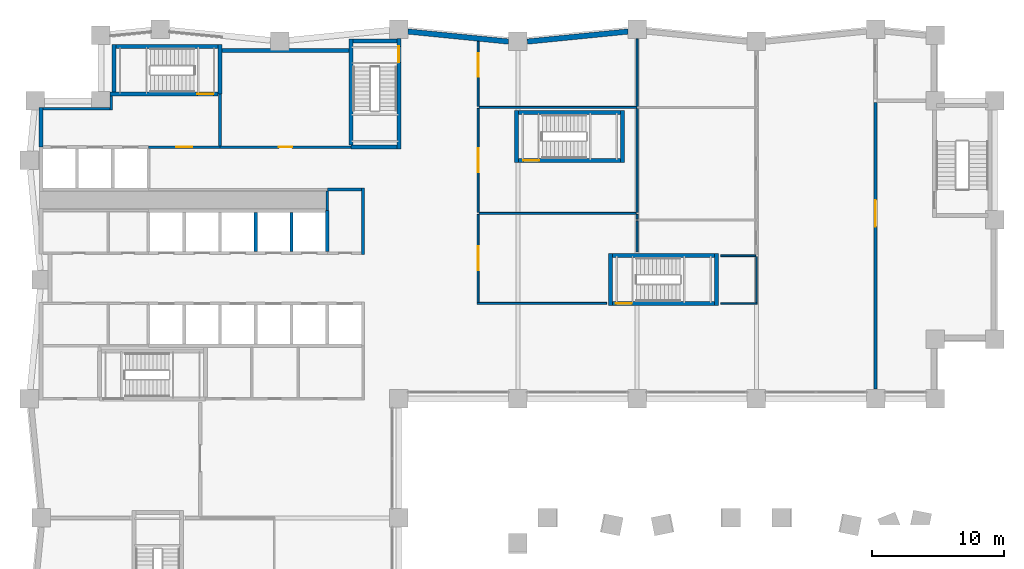
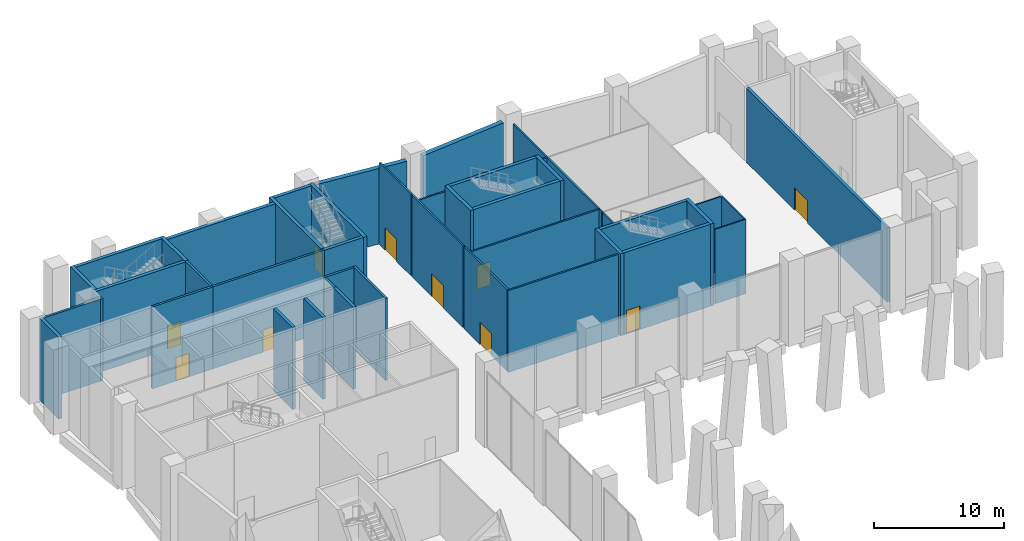
# One storey, part 12 of 19: 45 walls, 10 doors, 10 openings.
"""IFC4 building model written with IfcOpenShell, lengths in metres."""

from ifc_helpers import new_model, si_unit, direction, frame, frame_2d, origin, place, context, subcontext, project, spatial, rectangle, extrude, material, layer, layer_set, type_object, element, fill, save


model = new_model("IFC4")

# Units and contexts
model_context = context("Model", 3, precision=1e-05, world=origin(), true_north=direction((0.0, 1.0)))
body_context = subcontext(model_context, "Body", "Model", "MODEL_VIEW")
ifc_project = project(units=[si_unit("LENGTHUNIT", "METRE"), si_unit("AREAUNIT", "SQUARE_METRE"), si_unit("VOLUMEUNIT", "CUBIC_METRE"), si_unit("PLANEANGLEUNIT", "RADIAN"), si_unit("MASSUNIT", "GRAM", prefix="KILO")], contexts=[model_context])

# Site, building, storey
site_placement = place(None, origin())
site = spatial("IfcSite", under=ifc_project, at=site_placement, CompositionType="ELEMENT")
building_placement = place(site_placement, origin())
building = spatial("IfcBuilding", under=site, at=building_placement, Name="Brondeck Convention Tower", CompositionType="ELEMENT")
storey_placement = place(building_placement, frame((0.0, 0.0, 19.5)))
storey = spatial("IfcBuildingStorey", under=building, at=storey_placement, Name="L03", CompositionType="ELEMENT", Elevation=19.5)

# Walls
ifc_material_1 = material(Name="Concrete C80/95", Category="concrete")
ifc_layer_1 = layer(ifc_material_1, 0.199951171875)
ifc_layer_set_1 = layer_set([ifc_layer_1], Name="Core beam-seat wall 200 Concrete C80/95")
wall_type_1 = type_object("IfcWallType", Name="Core beam-seat wall 200 Concrete C80/95", PredefinedType="SHEAR", material=ifc_layer_set_1)
wall_1_placement = place(storey_placement, frame((24.300048828125, 46.89990234375, 0.0), z_axis=(0.0, 0.0, 1.0), x_axis=(0.0, 1.0, 0.0)))
element("IfcWall", 1, at=wall_1_placement, inside=storey, type_object=wall_type_1, Name="L03 core wall", PredefinedType="SHEAR", context=body_context, shape_type="SweptSolid", body=[
    extrude(rectangle(XDim=5.0, YDim=0.199951171875, at=frame_2d((2.5, 0.0))), origin(), (0.0, 0.0, 1.0), 7.699951171875),
])
ifc_layer_2 = layer(ifc_material_1, 0.300048828125)
ifc_layer_set_2 = layer_set([ifc_layer_2], Name="Core outer wall 300 Concrete C80/95")
wall_type_2 = type_object("IfcWallType", Name="Core outer wall 300 Concrete C80/95", PredefinedType="SHEAR", material=ifc_layer_set_2)
wall_2_placement = place(storey_placement, frame((13.64990234375, 62.300048828125, 0.0), z_axis=(0.0, 0.0, 1.0), x_axis=(1.0, 0.0, 0.0)))
element("IfcWall", 2, at=wall_2_placement, inside=storey, type_object=wall_type_2, Name="L03 core wall", PredefinedType="SHEAR", context=body_context, shape_type="SweptSolid", body=[
    extrude(rectangle(XDim=9.60009765625, YDim=0.300048828125, at=frame_2d((4.800048828125, 0.0))), origin(), (0.0, 0.0, 1.0), 7.699951171875),
])
wall_3_placement = place(storey_placement, frame((0.0, 55.0, 0.0), z_axis=(0.0, 0.0, 1.0), x_axis=(0.0, 1.0, 0.0)))
element("IfcWall", 3, at=wall_3_placement, inside=storey, type_object=wall_type_2, Name="L03 core wall", PredefinedType="SHEAR", context=body_context, shape_type="SweptSolid", body=[
    extrude(rectangle(XDim=3.0, YDim=0.300048828125, at=frame_2d((1.5, 0.0))), origin(), (0.0, 0.0, 1.0), 7.699951171875),
])
ifc_material_2 = material(Name="Limestone", Category="masonry")
ifc_layer_3 = layer(ifc_material_2, 0.10009765625, Name="Limestone facing")
ifc_material_3 = material(Name="Mineral wool")
ifc_layer_4 = layer(ifc_material_3, 0.159912109375, Name="Insulation")
ifc_material_4 = material(Name="Concrete C35/45", Category="concrete")
ifc_layer_5 = layer(ifc_material_4, 0.139892578125, Name="Backing")
ifc_layer_set_3 = layer_set([ifc_layer_3, ifc_layer_4, ifc_layer_5], Name="External wall, limestone cladding")
wall_type_3 = type_object("IfcWallType", Name="External wall, limestone cladding", PredefinedType="SOLIDWALL", material=ifc_layer_set_3)
for number, where, z_axis, x_axis, name in (
    (4, (36.70654296875, 62.97021484375, 0.0), (0.0, 0.0, 1.0), (0.995039719416, 0.099478423711, 0.0), "ENV-EW-L03-BASE-A-N-09"),
    (5, (27.6865234375, 63.730712890625, 0.0), (0.0, 0.0, 1.0), (0.995039719416, -0.099478423711, 0.0), "ENV-EW-L03-BASE-A-N-07"),
):
    element("IfcWall", number, at=place(storey_placement, frame(where, z_axis=z_axis, x_axis=x_axis)), inside=storey, type_object=wall_type_3, Name=name, PredefinedType="SOLIDWALL", context=body_context, shape_type="SweptSolid", body=[
        extrude(rectangle(XDim=7.644775390625, YDim=0.39990234375, at=frame_2d((3.822265625, 0.0))), origin(), (0.0, 0.0, 1.0), 7.10009765625),
    ])

# Wall, opening, door
ifc_material_5 = material(Name="Reinforced masonry fire wall", Category="masonry")
ifc_layer_6 = layer(ifc_material_5, 0.25)
ifc_layer_set_4 = layer_set([ifc_layer_6], Name="Fire wall 250")
wall_type_4 = type_object("IfcWallType", Name="Fire wall 250", PredefinedType="PARTITIONING", material=ifc_layer_set_4)
wall_4_placement = place(storey_placement, frame((63.0, 58.375, 0.0), z_axis=(0.0, 0.0, 1.0), x_axis=(0.0, -1.0, 0.0)))
wall_4 = element("IfcWall", 6, at=wall_4_placement, inside=storey, type_object=wall_type_4, Name="FLR-L03-W026", PredefinedType="PARTITIONING", context=body_context, shape_type="SweptSolid", body=[
    extrude(rectangle(XDim=21.655029296875, YDim=0.25, at=frame_2d((10.82763671875, 0.0))), origin(), (0.0, 0.0, 1.0), 6.97998046875),
])
opening_1_placement = place(wall_4_placement, frame((7.375, 0.0, 0.0)))
opening_1 = element("IfcOpeningElement", 7, at=opening_1_placement, cuts=wall_4, Name="Opening P-L03-007", PredefinedType="OPENING", context=body_context, shape_type="SweptSolid", body=[
    extrude(rectangle(XDim=2.0, YDim=2.10009765625, at=frame_2d((1.0, 1.050048828125))), frame((0.0, 0.135009765625, 0.0), z_axis=(0.0, -1.0, 0.0), x_axis=(1.0, 0.0, 0.0)), (0.0, 0.0, 1.0), 0.27001953125),
])
ifc_material_6 = material(Name="Timber fire door pair", Category="wood")
door_type_1 = type_object("IfcDoorType", Name="Assembly hall door pair 2000", OperationType="DOUBLE_DOOR_SINGLE_SWING", PredefinedType="DOOR", material=ifc_material_6)
door_1_placement = place(opening_1_placement, origin())
door_1 = element("IfcDoor", 8, at=door_1_placement, inside=storey, type_object=door_type_1, Name="Door P-L03-007", OperationType="DOUBLE_DOOR_SINGLE_SWING", OverallHeight=2.10009765625, OverallWidth=2.0, PredefinedType="DOOR", context=body_context, shape_type="SweptSolid", body=[
    extrude(rectangle(XDim=2.0, YDim=2.10009765625, at=frame_2d((1.0, 1.050048828125))), frame((0.0, 0.02490234375, 0.0), z_axis=(0.0, -1.0, 0.0), x_axis=(1.0, 0.0, 0.0)), (0.0, 0.0, 1.0), 0.050048828125),
])
fill(opening_1, door_1)

ifc_material_7 = material(Name="Fire-rated gypsum board partition")
ifc_layer_7 = layer(ifc_material_7, 0.199951171875)
ifc_layer_set_5 = layer_set([ifc_layer_7], Name="Firefighting lobby wall 200 EI 120")
wall_type_5 = type_object("IfcWallType", Name="Firefighting lobby wall 200 EI 120", PredefinedType="PARTITIONING", material=ifc_layer_set_5)
wall_5_placement = place(storey_placement, frame((8.10009765625, 55.0, 0.0), z_axis=(0.0, 0.0, 1.0), x_axis=(1.0, 0.0, 0.0)))
wall_5 = element("IfcWall", 9, at=wall_5_placement, inside=storey, type_object=wall_type_5, Name="L03 core wall", PredefinedType="PARTITIONING", context=body_context, shape_type="SweptSolid", body=[
    extrude(rectangle(XDim=5.39990234375, YDim=0.199951171875, at=frame_2d((2.699951171875, 0.0))), origin(), (0.0, 0.0, 1.0), 7.699951171875),
])
opening_2_placement = place(wall_5_placement, frame((2.10009765625, 0.0, 0.0)))
opening_2 = element("IfcOpeningElement", 10, at=opening_2_placement, cuts=wall_5, Name="Opening C05-01", PredefinedType="OPENING", context=body_context, shape_type="SweptSolid", body=[
    extrude(rectangle(XDim=1.199951171875, YDim=2.199951171875, at=frame_2d((0.60009765625, 1.10009765625))), frame((0.0, 0.10986328125, 0.0), z_axis=(0.0, -1.0, 0.0), x_axis=(1.0, 0.0, 0.0)), (0.0, 0.0, 1.0), 0.219970703125),
])
ifc_material_8 = material(Name="Steel fire door", Category="steel")
door_type_2 = type_object("IfcDoorType", Name="Firefighting lobby door 1200x2200 EI 120", OperationType="NOTDEFINED", PredefinedType="DOOR", material=ifc_material_8)
door_2_placement = place(opening_2_placement, origin())
door_2 = element("IfcDoor", 11, at=door_2_placement, inside=storey, type_object=door_type_2, Name="L03 Firefighting lobby door FFL-1", OperationType="SINGLE_SWING_RIGHT", OverallHeight=2.199951171875, OverallWidth=1.199951171875, PredefinedType="DOOR", context=body_context, shape_type="SweptSolid", body=[
    extrude(rectangle(XDim=1.199951171875, YDim=2.199951171875, at=frame_2d((0.60009765625, 1.10009765625))), frame((0.0, 0.02490234375, 0.0), z_axis=(0.0, -1.0, 0.0), x_axis=(1.0, 0.0, 0.0)), (0.0, 0.0, 1.0), 0.050048828125),
])
fill(opening_2, door_2)

# Walls
wall_6_placement = place(storey_placement, frame((0.14990234375, 57.89990234375, 0.0), z_axis=(0.0, 0.0, 1.0), x_axis=(1.0, 0.0, 0.0)))
element("IfcWall", 12, at=wall_6_placement, inside=storey, type_object=wall_type_5, Name="L03 core wall", PredefinedType="PARTITIONING", context=body_context, shape_type="SweptSolid", body=[
    extrude(rectangle(XDim=5.050048828125, YDim=0.199951171875, at=frame_2d((2.52490234375, 0.0))), origin(), (0.0, 0.0, 1.0), 7.699951171875),
])
wall_7_placement = place(storey_placement, frame((5.300048828125, 57.800048828125, 0.0), z_axis=(0.0, 0.0, 1.0), x_axis=(0.0, 1.0, 0.0)))
element("IfcWall", 13, at=wall_7_placement, inside=storey, type_object=wall_type_5, Name="L03 core wall", PredefinedType="PARTITIONING", context=body_context, shape_type="SweptSolid", body=[
    extrude(rectangle(XDim=1.050048828125, YDim=0.199951171875, at=frame_2d((0.52490234375, 0.0))), origin(), (0.0, 0.0, 1.0), 7.699951171875),
])
wall_8_placement = place(storey_placement, frame((13.5, 55.10009765625, 0.0), z_axis=(0.0, 0.0, 1.0), x_axis=(0.0, 1.0, 0.0)))
element("IfcWall", 14, at=wall_8_placement, inside=storey, type_object=wall_type_5, Name="L03 core wall", PredefinedType="PARTITIONING", context=body_context, shape_type="SweptSolid", body=[
    extrude(rectangle(XDim=3.89990234375, YDim=0.199951171875, at=frame_2d((1.949951171875, 0.0))), origin(), (0.0, 0.0, 1.0), 7.699951171875),
])
ifc_material_9 = material(Name="Double gypsum board acoustic wall")
ifc_layer_8 = layer(ifc_material_9, 0.14990234375)
ifc_layer_set_6 = layer_set([ifc_layer_8], Name="Guest room party wall 150")
wall_type_6 = type_object("IfcWallType", Name="Guest room party wall 150", PredefinedType="PARTITIONING", material=ifc_layer_set_6)
wall_9_placement = place(storey_placement, frame((32.925048828125, 43.199951171875, 0.0), z_axis=(0.0, 0.0, 1.0), x_axis=(1.0, 0.0, 0.0)))
element("IfcWall", 15, at=wall_9_placement, inside=storey, type_object=wall_type_6, Name="FLR-L03-W010", PredefinedType="PARTITIONING", context=body_context, shape_type="SweptSolid", body=[
    extrude(rectangle(XDim=9.77490234375, YDim=0.14990234375, at=frame_2d((4.887451171875, 0.0))), origin(), (0.0, 0.0, 1.0), 7.679931640625),
])
wall_10_placement = place(storey_placement, frame((45.0, 49.4375, 0.0), z_axis=(0.0, 0.0, 1.0), x_axis=(0.0, -1.0, 0.0)))
element("IfcWall", 16, at=wall_10_placement, inside=storey, type_object=wall_type_6, Name="FLR-L03-W015", PredefinedType="PARTITIONING", context=body_context, shape_type="SweptSolid", body=[
    extrude(rectangle(XDim=2.33740234375, YDim=0.14990234375, at=frame_2d((1.168701171875, 0.0))), origin(), (0.0, 0.0, 1.0), 6.97998046875),
])

# Wall, opening, door
wall_11_placement = place(storey_placement, frame((33.0, 49.925048828125, 0.0), z_axis=(0.0, 0.0, 1.0), x_axis=(0.0, -1.0, 0.0)))
wall_11 = element("IfcWall", 17, at=wall_11_placement, inside=storey, type_object=wall_type_6, Name="FLR-L03-W018", PredefinedType="PARTITIONING", context=body_context, shape_type="SweptSolid", body=[
    extrude(rectangle(XDim=6.650146484375, YDim=0.14990234375, at=frame_2d((3.3251953125, 0.0))), origin(), (0.0, 0.0, 1.0), 7.679931640625),
])
opening_3_placement = place(wall_11_placement, frame((2.425048828125, 0.0, 0.0)))
opening_3 = element("IfcOpeningElement", 18, at=opening_3_placement, cuts=wall_11, Name="Opening P-L03-001", PredefinedType="OPENING", context=body_context, shape_type="SweptSolid", body=[
    extrude(rectangle(XDim=1.800048828125, YDim=2.10009765625, at=frame_2d((0.89990234375, 1.050048828125))), frame((0.0, 0.0849609375, 0.0), z_axis=(0.0, -1.0, 0.0), x_axis=(1.0, 0.0, 0.0)), (0.0, 0.0, 1.0), 0.169921875),
])
ifc_material_10 = material(Name="Glazed timber double door", Category="wood")
door_type_3 = type_object("IfcDoorType", Name="Double door 1800", OperationType="DOUBLE_DOOR_SINGLE_SWING", PredefinedType="DOOR", material=ifc_material_10)
door_3_placement = place(opening_3_placement, origin())
door_3 = element("IfcDoor", 19, at=door_3_placement, inside=storey, type_object=door_type_3, Name="Door P-L03-001", OperationType="DOUBLE_DOOR_SINGLE_SWING", OverallHeight=2.10009765625, OverallWidth=1.800048828125, PredefinedType="DOOR", context=body_context, shape_type="SweptSolid", body=[
    extrude(rectangle(XDim=1.800048828125, YDim=2.10009765625, at=frame_2d((0.89990234375, 1.050048828125))), frame((0.0, 0.02490234375, 0.0), z_axis=(0.0, -1.0, 0.0), x_axis=(1.0, 0.0, 0.0)), (0.0, 0.0, 1.0), 0.050048828125),
])
fill(opening_3, door_3)

# Walls
wall_12_placement = place(storey_placement, frame((45.0, 49.925048828125, 0.0), z_axis=(0.0, 0.0, 1.0), x_axis=(0.0, -1.0, 0.0)))
element("IfcWall", 20, at=wall_12_placement, inside=storey, type_object=wall_type_6, Name="FLR-L03-W019", PredefinedType="PARTITIONING", context=body_context, shape_type="SweptSolid", body=[
    extrude(rectangle(XDim=0.362548828125, YDim=0.14990234375, at=frame_2d((0.18115234375, 0.0))), origin(), (0.0, 0.0, 1.0), 6.97998046875),
])
wall_13_placement = place(storey_placement, frame((33.074951171875, 50.0, 0.0), z_axis=(0.0, 0.0, 1.0), x_axis=(1.0, 0.0, 0.0)))
element("IfcWall", 21, at=wall_13_placement, inside=storey, type_object=wall_type_6, Name="FLR-L03-W020", PredefinedType="PARTITIONING", context=body_context, shape_type="SweptSolid", body=[
    extrude(rectangle(XDim=11.85009765625, YDim=0.14990234375, at=frame_2d((5.925048828125, 0.0))), origin(), (0.0, 0.0, 1.0), 6.97998046875),
])

# Wall, opening, door
wall_14_placement = place(storey_placement, frame((33.0, 57.925048828125, 0.0), z_axis=(0.0, 0.0, 1.0), x_axis=(0.0, -1.0, 0.0)))
wall_14 = element("IfcWall", 22, at=wall_14_placement, inside=storey, type_object=wall_type_6, Name="FLR-L03-W021", PredefinedType="PARTITIONING", context=body_context, shape_type="SweptSolid", body=[
    extrude(rectangle(XDim=7.85009765625, YDim=0.14990234375, at=frame_2d((3.925048828125, 0.0))), origin(), (0.0, 0.0, 1.0), 7.679931640625),
])
opening_4_placement = place(wall_14_placement, frame((3.02490234375, 0.0, 0.0)))
opening_4 = element("IfcOpeningElement", 23, at=opening_4_placement, cuts=wall_14, Name="Opening P-L03-002", PredefinedType="OPENING", context=body_context, shape_type="SweptSolid", body=[
    extrude(rectangle(XDim=1.800048828125, YDim=2.10009765625, at=frame_2d((0.89990234375, 1.050048828125))), frame((0.0, 0.0849609375, 0.0), z_axis=(0.0, -1.0, 0.0), x_axis=(1.0, 0.0, 0.0)), (0.0, 0.0, 1.0), 0.169921875),
])
door_4_placement = place(opening_4_placement, origin())
door_4 = element("IfcDoor", 24, at=door_4_placement, inside=storey, type_object=door_type_3, Name="Door P-L03-002", OperationType="DOUBLE_DOOR_SINGLE_SWING", OverallHeight=2.10009765625, OverallWidth=1.800048828125, PredefinedType="DOOR", context=body_context, shape_type="SweptSolid", body=[
    extrude(rectangle(XDim=1.800048828125, YDim=2.10009765625, at=frame_2d((0.89990234375, 1.050048828125))), frame((0.0, 0.02490234375, 0.0), z_axis=(0.0, -1.0, 0.0), x_axis=(1.0, 0.0, 0.0)), (0.0, 0.0, 1.0), 0.050048828125),
])
fill(opening_4, door_4)

# Walls
wall_15_placement = place(storey_placement, frame((45.0, 57.925048828125, 0.0), z_axis=(0.0, 0.0, 1.0), x_axis=(0.0, -1.0, 0.0)))
element("IfcWall", 25, at=wall_15_placement, inside=storey, type_object=wall_type_6, Name="FLR-L03-W022", PredefinedType="PARTITIONING", context=body_context, shape_type="SweptSolid", body=[
    extrude(rectangle(XDim=7.85009765625, YDim=0.14990234375, at=frame_2d((3.925048828125, 0.0))), origin(), (0.0, 0.0, 1.0), 6.97998046875),
])
wall_16_placement = place(storey_placement, frame((33.074951171875, 58.0, 0.0), z_axis=(0.0, 0.0, 1.0), x_axis=(1.0, 0.0, 0.0)))
element("IfcWall", 26, at=wall_16_placement, inside=storey, type_object=wall_type_6, Name="FLR-L03-W023", PredefinedType="PARTITIONING", context=body_context, shape_type="SweptSolid", body=[
    extrude(rectangle(XDim=11.925048828125, YDim=0.14990234375, at=frame_2d((5.96240234375, 0.0))), origin(), (0.0, 0.0, 1.0), 6.97998046875),
])

# Wall, opening, door
wall_17_placement = place(storey_placement, frame((33.0, 62.978515625, 0.0), z_axis=(0.0, 0.0, 1.0), x_axis=(0.0, -1.0, 0.0)))
wall_17 = element("IfcWall", 27, at=wall_17_placement, inside=storey, type_object=wall_type_6, Name="FLR-L03-W028", PredefinedType="PARTITIONING", context=body_context, shape_type="SweptSolid", body=[
    extrude(rectangle(XDim=4.903564453125, YDim=0.14990234375, at=frame_2d((2.45166015625, 0.0))), origin(), (0.0, 0.0, 1.0), 7.679931640625),
])
opening_5_placement = place(wall_17_placement, frame((0.87841796875, 0.0, 0.0)))
opening_5 = element("IfcOpeningElement", 28, at=opening_5_placement, cuts=wall_17, Name="Opening P-L03-003", PredefinedType="OPENING", context=body_context, shape_type="SweptSolid", body=[
    extrude(rectangle(XDim=1.800048828125, YDim=2.10009765625, at=frame_2d((0.89990234375, 1.050048828125))), frame((0.0, 0.0849609375, 0.0), z_axis=(0.0, -1.0, 0.0), x_axis=(1.0, 0.0, 0.0)), (0.0, 0.0, 1.0), 0.169921875),
])
door_5_placement = place(opening_5_placement, origin())
door_5 = element("IfcDoor", 29, at=door_5_placement, inside=storey, type_object=door_type_3, Name="Door P-L03-003", OperationType="DOUBLE_DOOR_SINGLE_SWING", OverallHeight=2.10009765625, OverallWidth=1.800048828125, PredefinedType="DOOR", context=body_context, shape_type="SweptSolid", body=[
    extrude(rectangle(XDim=1.800048828125, YDim=2.10009765625, at=frame_2d((0.89990234375, 1.050048828125))), frame((0.0, 0.02490234375, 0.0), z_axis=(0.0, -1.0, 0.0), x_axis=(1.0, 0.0, 0.0)), (0.0, 0.0, 1.0), 0.050048828125),
])
fill(opening_5, door_5)

# Walls
wall_18_placement = place(storey_placement, frame((45.0, 63.179931640625, 0.0), z_axis=(0.0, 0.0, 1.0), x_axis=(0.0, -1.0, 0.0)))
element("IfcWall", 30, at=wall_18_placement, inside=storey, type_object=wall_type_6, Name="FLR-L03-W029", PredefinedType="PARTITIONING", context=body_context, shape_type="SweptSolid", body=[
    extrude(rectangle(XDim=5.10498046875, YDim=0.14990234375, at=frame_2d((2.552490234375, 0.0))), origin(), (0.0, 0.0, 1.0), 6.97998046875),
])
ifc_layer_9 = layer(ifc_material_1, 0.25)
ifc_layer_set_7 = layer_set([ifc_layer_9], Name="Lift shaft wall 250 Concrete C80/95")
wall_type_7 = type_object("IfcWallType", Name="Lift shaft wall 250 Concrete C80/95", PredefinedType="SHEAR", material=ifc_layer_set_7)
for number, where, z_axis, x_axis, name in (
    (31, (16.199951171875, 47.125, 0.0), (0.0, 0.0, 1.0), (0.0, 1.0, 0.0), "L03 core wall"),
    (32, (18.89990234375, 47.125, 0.0), (0.0, 0.0, 1.0), (0.0, 1.0, 0.0), "L03 core wall"),
):
    element("IfcWall", number, at=place(storey_placement, frame(where, z_axis=z_axis, x_axis=x_axis)), inside=storey, type_object=wall_type_7, Name=name, PredefinedType="SHEAR", context=body_context, shape_type="SweptSolid", body=[
        extrude(rectangle(XDim=2.949951171875, YDim=0.25, at=frame_2d((1.47509765625, 0.0))), origin(), (0.0, 0.0, 1.0), 7.699951171875),
    ])
wall_19_placement = place(storey_placement, frame((21.60009765625, 47.125, 0.0), z_axis=(0.0, 0.0, 1.0), x_axis=(0.0, 1.0, 0.0)))
element("IfcWall", 33, at=wall_19_placement, inside=storey, type_object=wall_type_7, Name="L03 core wall", PredefinedType="SHEAR", context=body_context, shape_type="SweptSolid", body=[
    extrude(rectangle(XDim=3.074951171875, YDim=0.25, at=frame_2d((1.53759765625, 0.0))), origin(), (0.0, 0.0, 1.0), 7.699951171875),
])
ifc_material_11 = material(Name="Gypsum board shaft wall on steel studs", Category="steel")
ifc_layer_10 = layer(ifc_material_11, 0.125)
ifc_layer_set_8 = layer_set([ifc_layer_10], Name="Riser wall 125")
wall_type_8 = type_object("IfcWallType", Name="Riser wall 125", PredefinedType="PARTITIONING", material=ifc_layer_set_8)
wall_20_placement = place(storey_placement, frame((53.9375, 46.800048828125, 0.0), z_axis=(0.0, 0.0, 1.0), x_axis=(-1.0, 0.0, 0.0)))
element("IfcWall", 34, at=wall_20_placement, inside=storey, type_object=wall_type_8, Name="FLR-L03-W013", PredefinedType="PARTITIONING", context=body_context, shape_type="SweptSolid", body=[
    extrude(rectangle(XDim=2.637451171875, YDim=0.125, at=frame_2d((1.31884765625, 0.0))), origin(), (0.0, 0.0, 1.0), 6.97998046875),
])
ifc_layer_11 = layer(ifc_material_7, 0.199951171875)
ifc_layer_set_9 = layer_set([ifc_layer_11], Name="Riser wall 200 EI 120")
wall_type_9 = type_object("IfcWallType", Name="Riser wall 200 EI 120", PredefinedType="PARTITIONING", material=ifc_layer_set_9)
wall_21_placement = place(storey_placement, frame((21.60009765625, 51.800048828125, 0.0), z_axis=(0.0, 0.0, 1.0), x_axis=(1.0, 0.0, 0.0)))
element("IfcWall", 35, at=wall_21_placement, inside=storey, type_object=wall_type_9, Name="L03 core wall", PredefinedType="PARTITIONING", context=body_context, shape_type="SweptSolid", body=[
    extrude(rectangle(XDim=2.599853515625, YDim=0.199951171875, at=frame_2d((1.2998046875, 0.0))), origin(), (0.0, 0.0, 1.0), 7.699951171875),
])

# Wall, opening, door
wall_22_placement = place(storey_placement, frame((13.5, 55.0, 0.0), z_axis=(0.0, 0.0, 1.0), x_axis=(1.0, 0.0, 0.0)))
wall_22 = element("IfcWall", 36, at=wall_22_placement, inside=storey, type_object=wall_type_9, Name="L03 core wall", PredefinedType="PARTITIONING", context=body_context, shape_type="SweptSolid", body=[
    extrude(rectangle(XDim=9.89990234375, YDim=0.199951171875, at=frame_2d((4.949951171875, 0.0))), origin(), (0.0, 0.0, 1.0), 7.699951171875),
])
opening_6_placement = place(wall_22_placement, frame((4.449951171875, 0.0, 0.0)))
opening_6 = element("IfcOpeningElement", 37, at=opening_6_placement, cuts=wall_22, Name="Opening C05-11", PredefinedType="OPENING", context=body_context, shape_type="SweptSolid", body=[
    extrude(rectangle(XDim=1.0, YDim=2.10009765625, at=frame_2d((0.5, 1.050048828125))), frame((0.0, 0.10986328125, 0.0), z_axis=(0.0, -1.0, 0.0), x_axis=(1.0, 0.0, 0.0)), (0.0, 0.0, 1.0), 0.219970703125),
])
door_type_4 = type_object("IfcDoorType", Name="Riser door 1000x2100 EI 120", OperationType="NOTDEFINED", PredefinedType="DOOR", material=ifc_material_8)
door_6_placement = place(opening_6_placement, origin())
door_6 = element("IfcDoor", 38, at=door_6_placement, inside=storey, type_object=door_type_4, Name="L03 Riser door NE-1", OperationType="SINGLE_SWING_LEFT", OverallHeight=2.10009765625, OverallWidth=1.0, PredefinedType="DOOR", context=body_context, shape_type="SweptSolid", body=[
    extrude(rectangle(XDim=1.0, YDim=2.10009765625, at=frame_2d((0.5, 1.050048828125))), frame((0.0, 0.02490234375, 0.0), z_axis=(0.0, -1.0, 0.0), x_axis=(1.0, 0.0, 0.0)), (0.0, 0.0, 1.0), 0.050048828125),
])
fill(opening_6, door_6)

# Walls
wall_23_placement = place(storey_placement, frame((21.60009765625, 50.199951171875, 0.0), z_axis=(0.0, 0.0, 1.0), x_axis=(0.0, 1.0, 0.0)))
element("IfcWall", 39, at=wall_23_placement, inside=storey, type_object=wall_type_9, Name="L03 core wall", PredefinedType="PARTITIONING", context=body_context, shape_type="SweptSolid", body=[
    extrude(rectangle(XDim=1.5, YDim=0.199951171875, at=frame_2d((0.75, 0.0))), origin(), (0.0, 0.0, 1.0), 7.699951171875),
])
ifc_material_12 = material(Name="Gypsum board partition on steel studs", Category="steel")
ifc_layer_12 = layer(ifc_material_12, 0.10009765625)
ifc_layer_set_10 = layer_set([ifc_layer_12], Name="Room partition 100")
wall_type_10 = type_object("IfcWallType", Name="Room partition 100", PredefinedType="PARTITIONING", material=ifc_layer_set_10)
wall_24_placement = place(storey_placement, frame((51.300048828125, 43.199951171875, 0.0), z_axis=(0.0, 0.0, 1.0), x_axis=(1.0, 0.0, 0.0)))
element("IfcWall", 40, at=wall_24_placement, inside=storey, type_object=wall_type_10, Name="FLR-L03-W011", PredefinedType="PARTITIONING", context=body_context, shape_type="SweptSolid", body=[
    extrude(rectangle(XDim=2.75, YDim=0.10009765625, at=frame_2d((1.375, 0.0))), origin(), (0.0, 0.0, 1.0), 6.97998046875),
])
wall_25_placement = place(storey_placement, frame((54.0, 43.25, 0.0), z_axis=(0.0, 0.0, 1.0), x_axis=(0.0, 1.0, 0.0)))
element("IfcWall", 41, at=wall_25_placement, inside=storey, type_object=wall_type_10, Name="FLR-L03-W012", PredefinedType="PARTITIONING", context=body_context, shape_type="SweptSolid", body=[
    extrude(rectangle(XDim=3.487548828125, YDim=0.10009765625, at=frame_2d((1.74365234375, 0.0))), origin(), (0.0, 0.0, 1.0), 6.97998046875),
])

# Wall, opening, door
ifc_layer_13 = layer(ifc_material_1, 0.300048828125)
ifc_layer_set_11 = layer_set([ifc_layer_13], Name="Stair enclosure wall 300 Concrete C80/95")
wall_type_11 = type_object("IfcWallType", Name="Stair enclosure wall 300 Concrete C80/95", PredefinedType="SHEAR", material=ifc_layer_set_11)
wall_26_placement = place(storey_placement, frame((43.14990234375, 43.199951171875, 0.0), z_axis=(0.0, 0.0, 1.0), x_axis=(1.0, 0.0, 0.0)))
wall_26 = element("IfcWall", 42, at=wall_26_placement, inside=storey, type_object=wall_type_11, Name="L03 core wall", PredefinedType="SHEAR", context=body_context, shape_type="SweptSolid", body=[
    extrude(rectangle(XDim=7.7001953125, YDim=0.300048828125, at=frame_2d((3.85009765625, 0.0))), origin(), (0.0, 0.0, 1.0), 7.699951171875),
])
opening_7_placement = place(wall_26_placement, frame((0.25, 0.0, 0.0)))
opening_7 = element("IfcOpeningElement", 43, at=opening_7_placement, cuts=wall_26, Name="Opening C05-18", PredefinedType="OPENING", context=body_context, shape_type="SweptSolid", body=[
    extrude(rectangle(XDim=1.199951171875, YDim=2.199951171875, at=frame_2d((0.60009765625, 1.10009765625))), frame((0.0, 0.159912109375, 0.0), z_axis=(0.0, -1.0, 0.0), x_axis=(1.0, 0.0, 0.0)), (0.0, 0.0, 1.0), 0.320068359375),
])
door_type_5 = type_object("IfcDoorType", Name="Stair door 1200x2200 EI 90", OperationType="NOTDEFINED", PredefinedType="DOOR", material=ifc_material_8)
door_7_placement = place(opening_7_placement, origin())
door_7 = element("IfcDoor", 44, at=door_7_placement, inside=storey, type_object=door_type_5, Name="L03 Stair door ST-AF", OperationType="SINGLE_SWING_RIGHT", OverallHeight=2.199951171875, OverallWidth=1.199951171875, PredefinedType="DOOR", context=body_context, shape_type="SweptSolid", body=[
    extrude(rectangle(XDim=1.199951171875, YDim=2.199951171875, at=frame_2d((0.60009765625, 1.10009765625))), frame((0.0, 0.02490234375, 0.0), z_axis=(0.0, -1.0, 0.0), x_axis=(1.0, 0.0, 0.0)), (0.0, 0.0, 1.0), 0.050048828125),
])
fill(opening_7, door_7)

# Wall
wall_27_placement = place(storey_placement, frame((43.14990234375, 46.800048828125, 0.0), z_axis=(0.0, 0.0, 1.0), x_axis=(1.0, 0.0, 0.0)))
element("IfcWall", 45, at=wall_27_placement, inside=storey, type_object=wall_type_11, Name="L03 core wall", PredefinedType="SHEAR", context=body_context, shape_type="SweptSolid", body=[
    extrude(rectangle(XDim=7.7001953125, YDim=0.300048828125, at=frame_2d((3.85009765625, 0.0))), origin(), (0.0, 0.0, 1.0), 7.699951171875),
])

# Wall, opening, door
wall_28_placement = place(storey_placement, frame((36.050048828125, 54.0, 0.0), z_axis=(0.0, 0.0, 1.0), x_axis=(1.0, 0.0, 0.0)))
wall_28 = element("IfcWall", 46, at=wall_28_placement, inside=storey, type_object=wall_type_11, Name="L03 core wall", PredefinedType="SHEAR", context=body_context, shape_type="SweptSolid", body=[
    extrude(rectangle(XDim=7.699951171875, YDim=0.300048828125, at=frame_2d((3.85009765625, 0.0))), origin(), (0.0, 0.0, 1.0), 7.699951171875),
])
opening_8_placement = place(wall_28_placement, frame((0.35009765625, 0.0, 0.0)))
opening_8 = element("IfcOpeningElement", 47, at=opening_8_placement, cuts=wall_28, Name="Opening C05-17", PredefinedType="OPENING", context=body_context, shape_type="SweptSolid", body=[
    extrude(rectangle(XDim=1.199951171875, YDim=2.199951171875, at=frame_2d((0.60009765625, 1.10009765625))), frame((0.0, 0.159912109375, 0.0), z_axis=(0.0, -1.0, 0.0), x_axis=(1.0, 0.0, 0.0)), (0.0, 0.0, 1.0), 0.320068359375),
])
door_8_placement = place(opening_8_placement, origin())
door_8 = element("IfcDoor", 48, at=door_8_placement, inside=storey, type_object=door_type_5, Name="L03 Stair door ST-AE", OperationType="SINGLE_SWING_LEFT", OverallHeight=2.199951171875, OverallWidth=1.199951171875, PredefinedType="DOOR", context=body_context, shape_type="SweptSolid", body=[
    extrude(rectangle(XDim=1.199951171875, YDim=2.199951171875, at=frame_2d((0.60009765625, 1.10009765625))), frame((0.0, 0.02490234375, 0.0), z_axis=(0.0, -1.0, 0.0), x_axis=(1.0, 0.0, 0.0)), (0.0, 0.0, 1.0), 0.050048828125),
])
fill(opening_8, door_8)

# Walls
wall_29_placement = place(storey_placement, frame((23.39990234375, 55.0, 0.0), z_axis=(0.0, 0.0, 1.0), x_axis=(1.0, 0.0, 0.0)))
element("IfcWall", 49, at=wall_29_placement, inside=storey, type_object=wall_type_11, Name="L03 core wall", PredefinedType="SHEAR", context=body_context, shape_type="SweptSolid", body=[
    extrude(rectangle(XDim=3.4501953125, YDim=0.300048828125, at=frame_2d((1.72509765625, 0.0))), origin(), (0.0, 0.0, 1.0), 7.699951171875),
])
wall_30_placement = place(storey_placement, frame((36.050048828125, 57.60009765625, 0.0), z_axis=(0.0, 0.0, 1.0), x_axis=(1.0, 0.0, 0.0)))
element("IfcWall", 50, at=wall_30_placement, inside=storey, type_object=wall_type_11, Name="L03 core wall", PredefinedType="SHEAR", context=body_context, shape_type="SweptSolid", body=[
    extrude(rectangle(XDim=7.699951171875, YDim=0.300048828125, at=frame_2d((3.85009765625, 0.0))), origin(), (0.0, 0.0, 1.0), 7.699951171875),
])

# Wall, opening, door
wall_31_placement = place(storey_placement, frame((5.199951171875, 59.0, 0.0), z_axis=(0.0, 0.0, 1.0), x_axis=(1.0, 0.0, 0.0)))
wall_31 = element("IfcWall", 51, at=wall_31_placement, inside=storey, type_object=wall_type_11, Name="L03 core wall", PredefinedType="SHEAR", context=body_context, shape_type="SweptSolid", body=[
    extrude(rectangle(XDim=8.150146484375, YDim=0.300048828125, at=frame_2d((4.0751953125, 0.0))), origin(), (0.0, 0.0, 1.0), 7.699951171875),
])
opening_9_placement = place(wall_31_placement, frame((6.60009765625, 0.0, 0.0)))
opening_9 = element("IfcOpeningElement", 52, at=opening_9_placement, cuts=wall_31, Name="Opening C05-16", PredefinedType="OPENING", context=body_context, shape_type="SweptSolid", body=[
    extrude(rectangle(XDim=1.199951171875, YDim=2.199951171875, at=frame_2d((0.60009765625, 1.10009765625))), frame((0.0, 0.159912109375, 0.0), z_axis=(0.0, -1.0, 0.0), x_axis=(1.0, 0.0, 0.0)), (0.0, 0.0, 1.0), 0.320068359375),
])
door_type_6 = type_object("IfcDoorType", Name="Stair door 1200x2200 EI 120", OperationType="NOTDEFINED", PredefinedType="DOOR", material=ifc_material_8)
door_9_placement = place(opening_9_placement, origin())
door_9 = element("IfcDoor", 53, at=door_9_placement, inside=storey, type_object=door_type_6, Name="L03 Stair door ST-3", OperationType="SINGLE_SWING_RIGHT", OverallHeight=2.199951171875, OverallWidth=1.199951171875, PredefinedType="DOOR", context=body_context, shape_type="SweptSolid", body=[
    extrude(rectangle(XDim=1.199951171875, YDim=2.199951171875, at=frame_2d((0.60009765625, 1.10009765625))), frame((0.0, 0.02490234375, 0.0), z_axis=(0.0, -1.0, 0.0), x_axis=(1.0, 0.0, 0.0)), (0.0, 0.0, 1.0), 0.050048828125),
])
fill(opening_9, door_9)

# Walls
wall_32_placement = place(storey_placement, frame((5.64990234375, 62.60009765625, 0.0), z_axis=(0.0, 0.0, 1.0), x_axis=(1.0, 0.0, 0.0)))
element("IfcWall", 54, at=wall_32_placement, inside=storey, type_object=wall_type_11, Name="L03 core wall", PredefinedType="SHEAR", context=body_context, shape_type="SweptSolid", body=[
    extrude(rectangle(XDim=7.7001953125, YDim=0.300048828125, at=frame_2d((3.85009765625, 0.0))), origin(), (0.0, 0.0, 1.0), 7.699951171875),
])
wall_33_placement = place(storey_placement, frame((23.550048828125, 63.0, 0.0), z_axis=(0.0, 0.0, 1.0), x_axis=(1.0, 0.0, 0.0)))
element("IfcWall", 55, at=wall_33_placement, inside=storey, type_object=wall_type_11, Name="L03 core wall", PredefinedType="SHEAR", context=body_context, shape_type="SweptSolid", body=[
    extrude(rectangle(XDim=3.300048828125, YDim=0.300048828125, at=frame_2d((1.64990234375, 0.0))), origin(), (0.0, 0.0, 1.0), 7.699951171875),
])
wall_34_placement = place(storey_placement, frame((5.5, 59.14990234375, 0.0), z_axis=(0.0, 0.0, 1.0), x_axis=(0.0, 1.0, 0.0)))
element("IfcWall", 56, at=wall_34_placement, inside=storey, type_object=wall_type_11, Name="L03 core wall", PredefinedType="SHEAR", context=body_context, shape_type="SweptSolid", body=[
    extrude(rectangle(XDim=3.60009765625, YDim=0.300048828125, at=frame_2d((1.800048828125, 0.0))), origin(), (0.0, 0.0, 1.0), 7.699951171875),
])
wall_35_placement = place(storey_placement, frame((13.5, 59.0, 0.0), z_axis=(0.0, 0.0, 1.0), x_axis=(0.0, 1.0, 0.0)))
element("IfcWall", 57, at=wall_35_placement, inside=storey, type_object=wall_type_11, Name="L03 core wall", PredefinedType="SHEAR", context=body_context, shape_type="SweptSolid", body=[
    extrude(rectangle(XDim=3.75, YDim=0.300048828125, at=frame_2d((1.875, 0.0))), origin(), (0.0, 0.0, 1.0), 7.699951171875),
])
wall_36_placement = place(storey_placement, frame((23.39990234375, 55.14990234375, 0.0), z_axis=(0.0, 0.0, 1.0), x_axis=(0.0, 1.0, 0.0)))
element("IfcWall", 58, at=wall_36_placement, inside=storey, type_object=wall_type_11, Name="L03 core wall", PredefinedType="SHEAR", context=body_context, shape_type="SweptSolid", body=[
    extrude(rectangle(XDim=8.0, YDim=0.300048828125, at=frame_2d((4.0, 0.0))), origin(), (0.0, 0.0, 1.0), 7.699951171875),
])

# Wall, opening, door
wall_37_placement = place(storey_placement, frame((27.0, 54.85009765625, 0.0), z_axis=(0.0, 0.0, 1.0), x_axis=(0.0, 1.0, 0.0)))
wall_37 = element("IfcWall", 59, at=wall_37_placement, inside=storey, type_object=wall_type_11, Name="L03 core wall", PredefinedType="SHEAR", context=body_context, shape_type="SweptSolid", body=[
    extrude(rectangle(XDim=8.349853515625, YDim=0.300048828125, at=frame_2d((4.1748046875, 0.0))), origin(), (0.0, 0.0, 1.0), 7.699951171875),
])
opening_10_placement = place(wall_37_placement, frame((6.550048828125, 0.0, 0.0)))
opening_10 = element("IfcOpeningElement", 60, at=opening_10_placement, cuts=wall_37, Name="Opening C05-15", PredefinedType="OPENING", context=body_context, shape_type="SweptSolid", body=[
    extrude(rectangle(XDim=1.199951171875, YDim=2.199951171875, at=frame_2d((0.60009765625, 1.10009765625))), frame((0.0, 0.159912109375, 0.0), z_axis=(0.0, -1.0, 0.0), x_axis=(1.0, 0.0, 0.0)), (0.0, 0.0, 1.0), 0.320068359375),
])
door_10_placement = place(opening_10_placement, origin())
door_10 = element("IfcDoor", 61, at=door_10_placement, inside=storey, type_object=door_type_5, Name="L03 Stair door ST-2", OperationType="SINGLE_SWING_LEFT", OverallHeight=2.199951171875, OverallWidth=1.199951171875, PredefinedType="DOOR", context=body_context, shape_type="SweptSolid", body=[
    extrude(rectangle(XDim=1.199951171875, YDim=2.199951171875, at=frame_2d((0.60009765625, 1.10009765625))), frame((0.0, 0.02490234375, 0.0), z_axis=(0.0, -1.0, 0.0), x_axis=(1.0, 0.0, 0.0)), (0.0, 0.0, 1.0), 0.050048828125),
])
fill(opening_10, door_10)

# Walls
for number, where, z_axis, x_axis, name in (
    (62, (35.89990234375, 53.85009765625, 0.0), (0.0, 0.0, 1.0), (0.0, 1.0, 0.0), "L03 core wall"),
    (63, (43.0, 43.050048828125, 0.0), (0.0, 0.0, 1.0), (0.0, 1.0, 0.0), "L03 core wall"),
    (64, (43.89990234375, 53.85009765625, 0.0), (0.0, 0.0, 1.0), (0.0, 1.0, 0.0), "L03 core wall"),
    (65, (51.0, 43.050048828125, 0.0), (0.0, 0.0, 1.0), (0.0, 1.0, 0.0), "L03 core wall"),
):
    element("IfcWall", number, at=place(storey_placement, frame(where, z_axis=z_axis, x_axis=x_axis)), inside=storey, type_object=wall_type_11, Name=name, PredefinedType="SHEAR", context=body_context, shape_type="SweptSolid", body=[
        extrude(rectangle(XDim=3.89990234375, YDim=0.300048828125, at=frame_2d((1.949951171875, 0.0))), origin(), (0.0, 0.0, 1.0), 7.699951171875),
    ])

save(model, "model.ifc")
